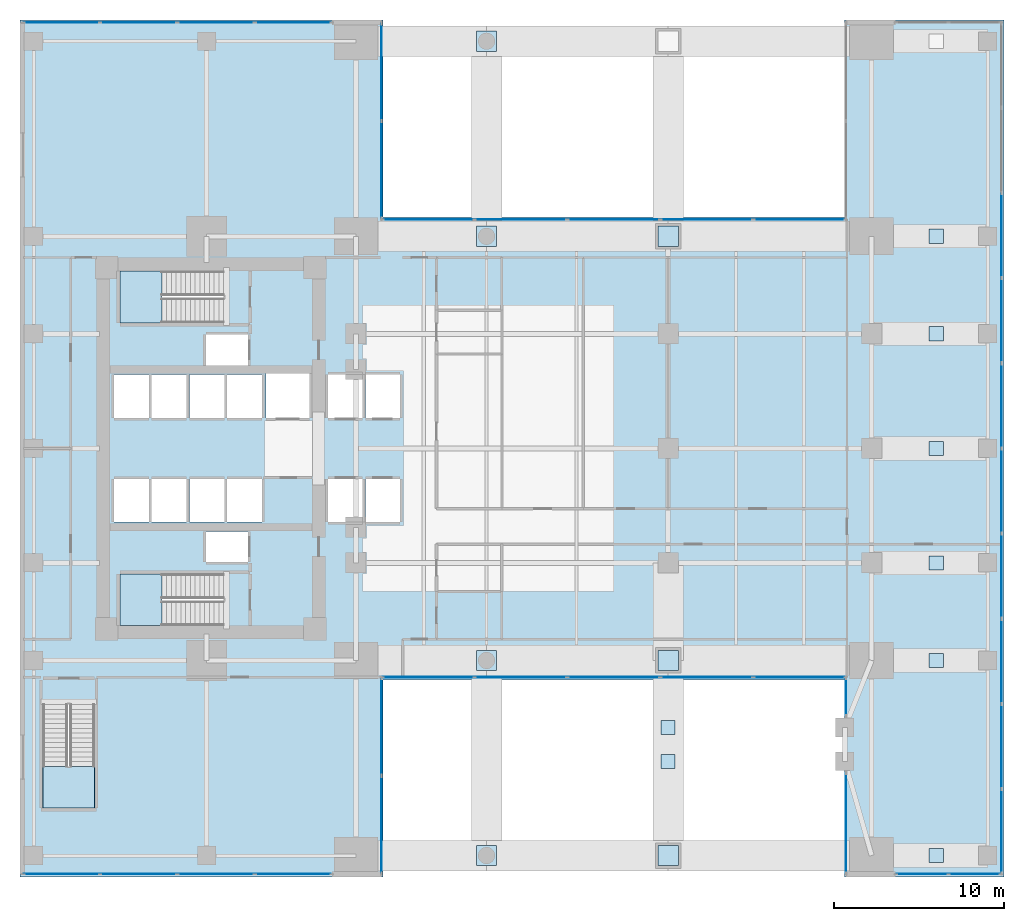
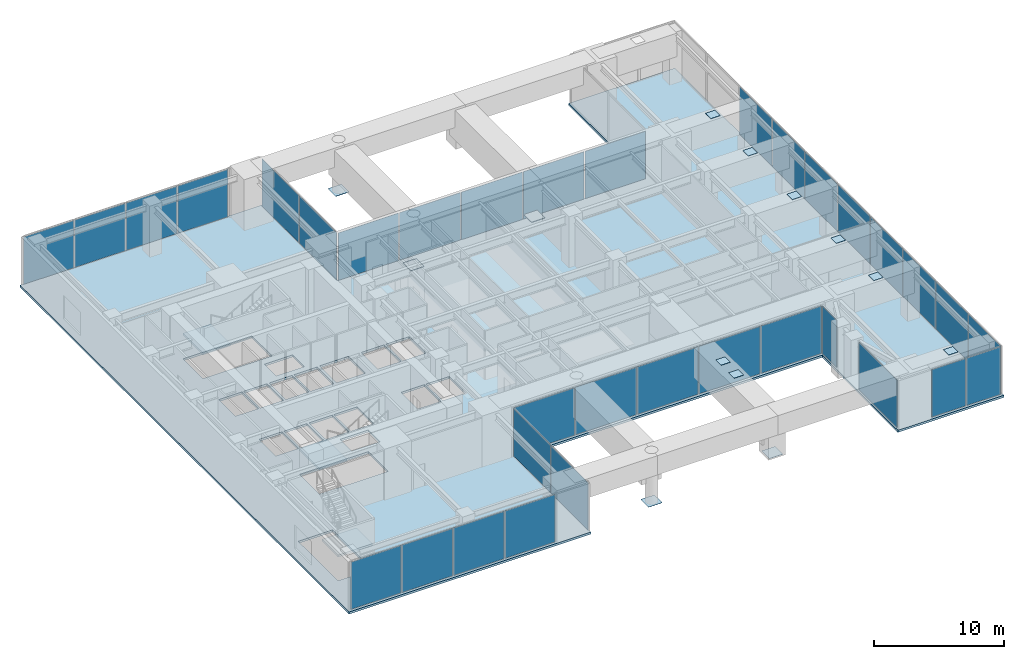
# One storey, part 7 of 13: 49 plates, 4 slabs, 13 elements without a shape of their own.
"""IFC4 building model written with IfcOpenShell, lengths in metres."""

from ifc_helpers import new_model, si_unit, direction, frame, origin, origin_2d, place, context, subcontext, project, spatial, polyline, rectangle, outline, extrude, material, layer, layer_set, type_object, element, aggregate, save


model = new_model("IFC4")

# Units and contexts
model_context = context("Model", 3, precision=1e-05, world=origin(), true_north=direction((0.0, 1.0)))
body_context = subcontext(model_context, "Body", "Model", "MODEL_VIEW")
ifc_project = project(units=[si_unit("LENGTHUNIT", "METRE"), si_unit("AREAUNIT", "SQUARE_METRE"), si_unit("VOLUMEUNIT", "CUBIC_METRE"), si_unit("PLANEANGLEUNIT", "RADIAN"), si_unit("MASSUNIT", "GRAM", prefix="KILO")], contexts=[model_context])

# Site, building, storey
site_placement = place(None, origin())
site = spatial("IfcSite", under=ifc_project, at=site_placement, CompositionType="ELEMENT")
building_placement = place(site_placement, origin())
building = spatial("IfcBuilding", under=site, at=building_placement, Name="Kinhvarn Gate Tower", CompositionType="ELEMENT")
storey_placement = place(building_placement, frame((0.0, 0.0, 15.60009765625)))
storey = spatial("IfcBuildingStorey", under=building, at=storey_placement, Name="L03", CompositionType="ELEMENT", Elevation=15.60009765625)

# Curtain wall, plates
ifc_material_1 = material(Name="Anodised aluminium AW-6063", Category="aluminium")
ifc_layer_1 = layer(ifc_material_1, 0.219970703125)
ifc_layer_set_1 = layer_set([ifc_layer_1], Name="Anodised aluminium AW-6063")
curtain_wall_type = type_object("IfcCurtainWallType", Name="CW-SYS-1", PredefinedType="NOTDEFINED", material=ifc_layer_set_1)
curtain_wall_1_placement = place(storey_placement, origin())
curtain_wall_1 = element("IfcCurtainWall", 1, at=curtain_wall_1_placement, inside=storey, type_object=curtain_wall_type, Name="Curtain Wall CW1 (L03)", PredefinedType="NOTDEFINED")
ifc_material_2 = material(Name="Clear low-e double glazing", Category="glass")
ifc_layer_2 = layer(ifc_material_2, 0.031982421875)
ifc_layer_set_2 = layer_set([ifc_layer_2], Name="Clear low-e double glazing")
plate_type_1 = type_object("IfcPlateType", Name="CW-PNL-VIS", PredefinedType="CURTAIN_PANEL", material=ifc_layer_set_2)
plate_1_placement = place(storey_placement, frame((2.451171875, 0.14990234375, 0.079833984375), z_axis=(0.0, 0.0, 1.0), x_axis=(1.0, 0.0, 0.0)))
plate_1 = element("IfcPlate", 2, at=plate_1_placement, type_object=plate_type_1, Name="CW1 panel 1.1", PredefinedType="CURTAIN_PANEL", context=body_context, shape_type="SweptSolid", body=[
    extrude(rectangle(XDim=4.4423828125, YDim=0.031982421875, at=origin_2d()), origin(), (0.0, 0.0, 1.0), 4.43994140625),
])
plate_2_placement = place(storey_placement, frame((6.99365234375, 0.14990234375, 0.079833984375), z_axis=(0.0, 0.0, 1.0), x_axis=(1.0, 0.0, 0.0)))
plate_2 = element("IfcPlate", 3, at=plate_2_placement, type_object=plate_type_1, Name="CW1 panel 2.1", PredefinedType="CURTAIN_PANEL", context=body_context, shape_type="SweptSolid", body=[
    extrude(rectangle(XDim=4.482421875, YDim=0.031982421875, at=origin_2d()), origin(), (0.0, 0.0, 1.0), 4.43994140625),
])
plate_3_placement = place(storey_placement, frame((11.55615234375, 0.14990234375, 0.079833984375), z_axis=(0.0, 0.0, 1.0), x_axis=(1.0, 0.0, 0.0)))
plate_3 = element("IfcPlate", 4, at=plate_3_placement, type_object=plate_type_1, Name="CW1 panel 3.1", PredefinedType="CURTAIN_PANEL", context=body_context, shape_type="SweptSolid", body=[
    extrude(rectangle(XDim=4.482421875, YDim=0.031982421875, at=origin_2d()), origin(), (0.0, 0.0, 1.0), 4.43994140625),
])
plate_4_placement = place(storey_placement, frame((16.0986328125, 0.14990234375, 0.079833984375), z_axis=(0.0, 0.0, 1.0), x_axis=(1.0, 0.0, 0.0)))
plate_4 = element("IfcPlate", 5, at=plate_4_placement, type_object=plate_type_1, Name="CW1 panel 4.1", PredefinedType="CURTAIN_PANEL", context=body_context, shape_type="SweptSolid", body=[
    extrude(rectangle(XDim=4.4423828125, YDim=0.031982421875, at=origin_2d()), origin(), (0.0, 0.0, 1.0), 4.43994140625),
])
aggregate(curtain_wall_1, [plate_1, plate_2, plate_3, plate_4])

curtain_wall_2_placement = place(storey_placement, origin())
curtain_wall_2 = element("IfcCurtainWall", 6, at=curtain_wall_2_placement, inside=storey, type_object=curtain_wall_type, Name="Curtain Wall CW1 (L03)", PredefinedType="NOTDEFINED")
plate_5_placement = place(storey_placement, frame((53.1826171875, 0.14990234375, 0.079833984375), z_axis=(0.0, 0.0, 1.0), x_axis=(1.0, 0.0, 0.0)))
plate_5 = element("IfcPlate", 7, at=plate_5_placement, type_object=plate_type_1, Name="CW1 panel 1.1", PredefinedType="CURTAIN_PANEL", context=body_context, shape_type="SweptSolid", body=[
    extrude(rectangle(XDim=3.0048828125, YDim=0.031982421875, at=origin_2d()), origin(), (0.0, 0.0, 1.0), 4.43994140625),
])
plate_6_placement = place(storey_placement, frame((56.267578125, 0.14990234375, 0.079833984375), z_axis=(0.0, 0.0, 1.0), x_axis=(1.0, 0.0, 0.0)))
plate_6 = element("IfcPlate", 8, at=plate_6_placement, type_object=plate_type_1, Name="CW1 panel 2.1", PredefinedType="CURTAIN_PANEL", context=body_context, shape_type="SweptSolid", body=[
    extrude(rectangle(XDim=3.0048828125, YDim=0.031982421875, at=origin_2d()), origin(), (0.0, 0.0, 1.0), 4.43994140625),
])
aggregate(curtain_wall_2, [plate_5, plate_6])

curtain_wall_3_placement = place(storey_placement, origin())
curtain_wall_3 = element("IfcCurtainWall", 9, at=curtain_wall_3_placement, inside=storey, type_object=curtain_wall_type, Name="Curtain Wall CW1 (L03)", PredefinedType="NOTDEFINED")
plate_7_placement = place(storey_placement, frame((57.85009765625, 2.679931640625, 0.079833984375), z_axis=(0.0, 0.0, 1.0), x_axis=(0.0, 1.0, 0.0)))
plate_7 = element("IfcPlate", 10, at=plate_7_placement, type_object=plate_type_1, Name="CW1 panel 1.1", PredefinedType="CURTAIN_PANEL", context=body_context, shape_type="SweptSolid", body=[
    extrude(rectangle(XDim=4.89990234375, YDim=0.031982421875, at=origin_2d()), origin(), (0.0, 0.0, 1.0), 4.43994140625),
])
plate_8_placement = place(storey_placement, frame((57.85009765625, 7.679931640625, 0.079833984375), z_axis=(0.0, 0.0, 1.0), x_axis=(0.0, 1.0, 0.0)))
plate_8 = element("IfcPlate", 11, at=plate_8_placement, type_object=plate_type_1, Name="CW1 panel 2.1", PredefinedType="CURTAIN_PANEL", context=body_context, shape_type="SweptSolid", body=[
    extrude(rectangle(XDim=4.93994140625, YDim=0.031982421875, at=origin_2d()), origin(), (0.0, 0.0, 1.0), 4.43994140625),
])
plate_9_placement = place(storey_placement, frame((57.85009765625, 12.699951171875, 0.079833984375), z_axis=(0.0, 0.0, 1.0), x_axis=(0.0, 1.0, 0.0)))
plate_9 = element("IfcPlate", 12, at=plate_9_placement, type_object=plate_type_1, Name="CW1 panel 3.1", PredefinedType="CURTAIN_PANEL", context=body_context, shape_type="SweptSolid", body=[
    extrude(rectangle(XDim=4.93994140625, YDim=0.031982421875, at=origin_2d()), origin(), (0.0, 0.0, 1.0), 4.43994140625),
])
plate_10_placement = place(storey_placement, frame((57.85009765625, 17.719970703125, 0.079833984375), z_axis=(0.0, 0.0, 1.0), x_axis=(0.0, 1.0, 0.0)))
plate_10 = element("IfcPlate", 13, at=plate_10_placement, type_object=plate_type_1, Name="CW1 panel 4.1", PredefinedType="CURTAIN_PANEL", context=body_context, shape_type="SweptSolid", body=[
    extrude(rectangle(XDim=4.93994140625, YDim=0.031982421875, at=origin_2d()), origin(), (0.0, 0.0, 1.0), 4.43994140625),
])
plate_11_placement = place(storey_placement, frame((57.85009765625, 22.739990234375, 0.079833984375), z_axis=(0.0, 0.0, 1.0), x_axis=(0.0, 1.0, 0.0)))
plate_11 = element("IfcPlate", 14, at=plate_11_placement, type_object=plate_type_1, Name="CW1 panel 5.1", PredefinedType="CURTAIN_PANEL", context=body_context, shape_type="SweptSolid", body=[
    extrude(rectangle(XDim=4.93994140625, YDim=0.031982421875, at=origin_2d()), origin(), (0.0, 0.0, 1.0), 4.43994140625),
])
plate_12_placement = place(storey_placement, frame((57.85009765625, 27.760009765625, 0.079833984375), z_axis=(0.0, 0.0, 1.0), x_axis=(0.0, 1.0, 0.0)))
plate_12 = element("IfcPlate", 15, at=plate_12_placement, type_object=plate_type_1, Name="CW1 panel 6.1", PredefinedType="CURTAIN_PANEL", context=body_context, shape_type="SweptSolid", body=[
    extrude(rectangle(XDim=4.93994140625, YDim=0.031982421875, at=origin_2d()), origin(), (0.0, 0.0, 1.0), 4.43994140625),
])
plate_13_placement = place(storey_placement, frame((57.85009765625, 32.780029296875, 0.079833984375), z_axis=(0.0, 0.0, 1.0), x_axis=(0.0, 1.0, 0.0)))
plate_13 = element("IfcPlate", 16, at=plate_13_placement, type_object=plate_type_1, Name="CW1 panel 7.1", PredefinedType="CURTAIN_PANEL", context=body_context, shape_type="SweptSolid", body=[
    extrude(rectangle(XDim=4.93994140625, YDim=0.031982421875, at=origin_2d()), origin(), (0.0, 0.0, 1.0), 4.43994140625),
])
plate_14_placement = place(storey_placement, frame((57.85009765625, 37.800048828125, 0.079833984375), z_axis=(0.0, 0.0, 1.0), x_axis=(0.0, 1.0, 0.0)))
plate_14 = element("IfcPlate", 17, at=plate_14_placement, type_object=plate_type_1, Name="CW1 panel 8.1", PredefinedType="CURTAIN_PANEL", context=body_context, shape_type="SweptSolid", body=[
    extrude(rectangle(XDim=4.93994140625, YDim=0.031982421875, at=origin_2d()), origin(), (0.0, 0.0, 1.0), 4.43994140625),
])
aggregate(curtain_wall_3, [plate_7, plate_8, plate_9, plate_10, plate_11, plate_12, plate_13, plate_14])

curtain_wall_4_placement = place(storey_placement, origin())
curtain_wall_4 = element("IfcCurtainWall", 18, at=curtain_wall_4_placement, inside=storey, type_object=curtain_wall_type, Name="Curtain Wall CW1 (L03)", PredefinedType="NOTDEFINED")
plate_15_placement = place(storey_placement, frame((16.0986328125, 50.35009765625, 0.079833984375), z_axis=(0.0, 0.0, 1.0), x_axis=(-1.0, 0.0, 0.0)))
plate_15 = element("IfcPlate", 19, at=plate_15_placement, type_object=plate_type_1, Name="CW1 panel 1.1", PredefinedType="CURTAIN_PANEL", context=body_context, shape_type="SweptSolid", body=[
    extrude(rectangle(XDim=4.4423828125, YDim=0.031982421875, at=origin_2d()), origin(), (0.0, 0.0, 1.0), 4.43994140625),
])
plate_16_placement = place(storey_placement, frame((11.55615234375, 50.35009765625, 0.079833984375), z_axis=(0.0, 0.0, 1.0), x_axis=(-1.0, 0.0, 0.0)))
plate_16 = element("IfcPlate", 20, at=plate_16_placement, type_object=plate_type_1, Name="CW1 panel 2.1", PredefinedType="CURTAIN_PANEL", context=body_context, shape_type="SweptSolid", body=[
    extrude(rectangle(XDim=4.482421875, YDim=0.031982421875, at=origin_2d()), origin(), (0.0, 0.0, 1.0), 4.43994140625),
])
plate_17_placement = place(storey_placement, frame((6.99365234375, 50.35009765625, 0.079833984375), z_axis=(0.0, 0.0, 1.0), x_axis=(-1.0, 0.0, 0.0)))
plate_17 = element("IfcPlate", 21, at=plate_17_placement, type_object=plate_type_1, Name="CW1 panel 3.1", PredefinedType="CURTAIN_PANEL", context=body_context, shape_type="SweptSolid", body=[
    extrude(rectangle(XDim=4.482421875, YDim=0.031982421875, at=origin_2d()), origin(), (0.0, 0.0, 1.0), 4.43994140625),
])
plate_18_placement = place(storey_placement, frame((2.451171875, 50.35009765625, 0.079833984375), z_axis=(0.0, 0.0, 1.0), x_axis=(-1.0, 0.0, 0.0)))
plate_18 = element("IfcPlate", 22, at=plate_18_placement, type_object=plate_type_1, Name="CW1 panel 4.1", PredefinedType="CURTAIN_PANEL", context=body_context, shape_type="SweptSolid", body=[
    extrude(rectangle(XDim=4.4423828125, YDim=0.031982421875, at=origin_2d()), origin(), (0.0, 0.0, 1.0), 4.43994140625),
])
aggregate(curtain_wall_4, [plate_15, plate_16, plate_17, plate_18])

curtain_wall_5_placement = place(storey_placement, origin())
curtain_wall_5 = element("IfcCurtainWall", 23, at=curtain_wall_5_placement, inside=storey, type_object=curtain_wall_type, Name="Curtain Wall CW1 (L03)", PredefinedType="NOTDEFINED")
plate_19_placement = place(storey_placement, frame((21.31005859375, 3.072509765625, 0.079833984375), z_axis=(0.0, 0.0, 1.0), x_axis=(0.0, 1.0, 0.0)))
plate_19 = element("IfcPlate", 24, at=plate_19_placement, type_object=plate_type_1, Name="CW1 panel 1.1", PredefinedType="CURTAIN_PANEL", context=body_context, shape_type="SweptSolid", body=[
    extrude(rectangle(XDim=5.68505859375, YDim=0.031982421875, at=origin_2d()), origin(), (0.0, 0.0, 1.0), 4.43994140625),
])
plate_20_placement = place(storey_placement, frame((21.31005859375, 8.83740234375, 0.079833984375), z_axis=(0.0, 0.0, 1.0), x_axis=(0.0, 1.0, 0.0)))
plate_20 = element("IfcPlate", 25, at=plate_20_placement, type_object=plate_type_1, Name="CW1 panel 2.1", PredefinedType="CURTAIN_PANEL", context=body_context, shape_type="SweptSolid", body=[
    extrude(rectangle(XDim=5.68505859375, YDim=0.031982421875, at=origin_2d()), origin(), (0.0, 0.0, 1.0), 4.43994140625),
])
aggregate(curtain_wall_5, [plate_19, plate_20])

curtain_wall_6_placement = place(storey_placement, origin())
curtain_wall_6 = element("IfcCurtainWall", 26, at=curtain_wall_6_placement, inside=storey, type_object=curtain_wall_type, Name="Curtain Wall CW1 (L03)", PredefinedType="NOTDEFINED")
plate_21_placement = place(storey_placement, frame((24.068115234375, 11.760009765625, 0.079833984375), z_axis=(0.0, 0.0, 1.0), x_axis=(1.0, 0.0, 0.0)))
plate_21 = element("IfcPlate", 27, at=plate_21_placement, type_object=plate_type_1, Name="CW1 panel 1.1", PredefinedType="CURTAIN_PANEL", context=body_context, shape_type="SweptSolid", body=[
    extrude(rectangle(XDim=5.35595703125, YDim=0.031982421875, at=origin_2d()), origin(), (0.0, 0.0, 1.0), 4.43994140625),
])
plate_22_placement = place(storey_placement, frame((29.52392578125, 11.760009765625, 0.079833984375), z_axis=(0.0, 0.0, 1.0), x_axis=(1.0, 0.0, 0.0)))
plate_22 = element("IfcPlate", 28, at=plate_22_placement, type_object=plate_type_1, Name="CW1 panel 2.1", PredefinedType="CURTAIN_PANEL", context=body_context, shape_type="SweptSolid", body=[
    extrude(rectangle(XDim=5.39599609375, YDim=0.031982421875, at=origin_2d()), origin(), (0.0, 0.0, 1.0), 4.43994140625),
])
plate_23_placement = place(storey_placement, frame((35.0, 11.760009765625, 0.079833984375), z_axis=(0.0, 0.0, 1.0), x_axis=(1.0, 0.0, 0.0)))
plate_23 = element("IfcPlate", 29, at=plate_23_placement, type_object=plate_type_1, Name="CW1 panel 3.1", PredefinedType="CURTAIN_PANEL", context=body_context, shape_type="SweptSolid", body=[
    extrude(rectangle(XDim=5.39599609375, YDim=0.031982421875, at=origin_2d()), origin(), (0.0, 0.0, 1.0), 4.43994140625),
])
plate_24_placement = place(storey_placement, frame((40.47607421875, 11.760009765625, 0.079833984375), z_axis=(0.0, 0.0, 1.0), x_axis=(1.0, 0.0, 0.0)))
plate_24 = element("IfcPlate", 30, at=plate_24_placement, type_object=plate_type_1, Name="CW1 panel 4.1", PredefinedType="CURTAIN_PANEL", context=body_context, shape_type="SweptSolid", body=[
    extrude(rectangle(XDim=5.39599609375, YDim=0.031982421875, at=origin_2d()), origin(), (0.0, 0.0, 1.0), 4.43994140625),
])
plate_25_placement = place(storey_placement, frame((45.931884765625, 11.760009765625, 0.079833984375), z_axis=(0.0, 0.0, 1.0), x_axis=(1.0, 0.0, 0.0)))
plate_25 = element("IfcPlate", 31, at=plate_25_placement, type_object=plate_type_1, Name="CW1 panel 5.1", PredefinedType="CURTAIN_PANEL", context=body_context, shape_type="SweptSolid", body=[
    extrude(rectangle(XDim=5.35595703125, YDim=0.031982421875, at=origin_2d()), origin(), (0.0, 0.0, 1.0), 4.43994140625),
])
aggregate(curtain_wall_6, [plate_21, plate_22, plate_23, plate_24, plate_25])

# Curtain wall, plate
curtain_wall_7_placement = place(storey_placement, origin())
curtain_wall_7 = element("IfcCurtainWall", 32, at=curtain_wall_7_placement, inside=storey, type_object=curtain_wall_type, Name="Curtain Wall CW1 (L03)", PredefinedType="NOTDEFINED")
plate_26_placement = place(storey_placement, frame((48.68994140625, 10.594970703125, 0.079833984375), z_axis=(0.0, 0.0, 1.0), x_axis=(0.0, -1.0, 0.0)))
plate_26 = element("IfcPlate", 33, at=plate_26_placement, type_object=plate_type_1, Name="CW1 panel 1.1", PredefinedType="CURTAIN_PANEL", context=body_context, shape_type="SweptSolid", body=[
    extrude(rectangle(XDim=2.169921875, YDim=0.031982421875, at=origin_2d()), origin(), (0.0, 0.0, 1.0), 4.43994140625),
])
aggregate(curtain_wall_7, [plate_26])

curtain_wall_8_placement = place(storey_placement, origin())
curtain_wall_8 = element("IfcCurtainWall", 34, at=curtain_wall_8_placement, inside=storey, type_object=curtain_wall_type, Name="Curtain Wall CW1 (L03)", PredefinedType="NOTDEFINED")
plate_27_placement = place(storey_placement, frame((48.68994140625, 3.159912109375, 0.079833984375), z_axis=(0.0, 0.0, 1.0), x_axis=(0.0, -1.0, 0.0)))
plate_27 = element("IfcPlate", 35, at=plate_27_placement, type_object=plate_type_1, Name="CW1 panel 1.1", PredefinedType="CURTAIN_PANEL", context=body_context, shape_type="SweptSolid", body=[
    extrude(rectangle(XDim=5.860107421875, YDim=0.031982421875, at=origin_2d()), origin(), (0.0, 0.0, 1.0), 4.43994140625),
])
aggregate(curtain_wall_8, [plate_27])

# Curtain wall, plates
curtain_wall_9_placement = place(storey_placement, origin())
curtain_wall_9 = element("IfcCurtainWall", 36, at=curtain_wall_9_placement, inside=storey, type_object=curtain_wall_type, Name="Curtain Wall CW1 (L03)", PredefinedType="NOTDEFINED")
plate_28_placement = place(storey_placement, frame((45.931884765625, 38.739990234375, 0.079833984375), z_axis=(0.0, 0.0, 1.0), x_axis=(-1.0, 0.0, 0.0)))
plate_28 = element("IfcPlate", 37, at=plate_28_placement, type_object=plate_type_1, Name="CW1 panel 1.1", PredefinedType="CURTAIN_PANEL", context=body_context, shape_type="SweptSolid", body=[
    extrude(rectangle(XDim=5.35595703125, YDim=0.031982421875, at=origin_2d()), origin(), (0.0, 0.0, 1.0), 4.43994140625),
])
plate_29_placement = place(storey_placement, frame((40.47607421875, 38.739990234375, 0.079833984375), z_axis=(0.0, 0.0, 1.0), x_axis=(-1.0, 0.0, 0.0)))
plate_29 = element("IfcPlate", 38, at=plate_29_placement, type_object=plate_type_1, Name="CW1 panel 2.1", PredefinedType="CURTAIN_PANEL", context=body_context, shape_type="SweptSolid", body=[
    extrude(rectangle(XDim=5.39599609375, YDim=0.031982421875, at=origin_2d()), origin(), (0.0, 0.0, 1.0), 4.43994140625),
])
plate_30_placement = place(storey_placement, frame((35.0, 38.739990234375, 0.079833984375), z_axis=(0.0, 0.0, 1.0), x_axis=(-1.0, 0.0, 0.0)))
plate_30 = element("IfcPlate", 39, at=plate_30_placement, type_object=plate_type_1, Name="CW1 panel 3.1", PredefinedType="CURTAIN_PANEL", context=body_context, shape_type="SweptSolid", body=[
    extrude(rectangle(XDim=5.39599609375, YDim=0.031982421875, at=origin_2d()), origin(), (0.0, 0.0, 1.0), 4.43994140625),
])
plate_31_placement = place(storey_placement, frame((29.52392578125, 38.739990234375, 0.079833984375), z_axis=(0.0, 0.0, 1.0), x_axis=(-1.0, 0.0, 0.0)))
plate_31 = element("IfcPlate", 40, at=plate_31_placement, type_object=plate_type_1, Name="CW1 panel 4.1", PredefinedType="CURTAIN_PANEL", context=body_context, shape_type="SweptSolid", body=[
    extrude(rectangle(XDim=5.39599609375, YDim=0.031982421875, at=origin_2d()), origin(), (0.0, 0.0, 1.0), 4.43994140625),
])
plate_32_placement = place(storey_placement, frame((24.068115234375, 38.739990234375, 0.079833984375), z_axis=(0.0, 0.0, 1.0), x_axis=(-1.0, 0.0, 0.0)))
plate_32 = element("IfcPlate", 41, at=plate_32_placement, type_object=plate_type_1, Name="CW1 panel 5.1", PredefinedType="CURTAIN_PANEL", context=body_context, shape_type="SweptSolid", body=[
    extrude(rectangle(XDim=5.35595703125, YDim=0.031982421875, at=origin_2d()), origin(), (0.0, 0.0, 1.0), 4.43994140625),
])
aggregate(curtain_wall_9, [plate_28, plate_29, plate_30, plate_31, plate_32])

curtain_wall_10_placement = place(storey_placement, origin())
curtain_wall_10 = element("IfcCurtainWall", 42, at=curtain_wall_10_placement, inside=storey, type_object=curtain_wall_type, Name="Curtain Wall CW1 (L03)", PredefinedType="NOTDEFINED")
plate_33_placement = place(storey_placement, frame((21.31005859375, 41.66259765625, 0.079833984375), z_axis=(0.0, 0.0, 1.0), x_axis=(0.0, 1.0, 0.0)))
plate_33 = element("IfcPlate", 43, at=plate_33_placement, type_object=plate_type_1, Name="CW1 panel 1.1", PredefinedType="CURTAIN_PANEL", context=body_context, shape_type="SweptSolid", body=[
    extrude(rectangle(XDim=5.68505859375, YDim=0.031982421875, at=origin_2d()), origin(), (0.0, 0.0, 1.0), 4.43994140625),
])
plate_34_placement = place(storey_placement, frame((21.31005859375, 47.427490234375, 0.079833984375), z_axis=(0.0, 0.0, 1.0), x_axis=(0.0, 1.0, 0.0)))
plate_34 = element("IfcPlate", 44, at=plate_34_placement, type_object=plate_type_1, Name="CW1 panel 2.1", PredefinedType="CURTAIN_PANEL", context=body_context, shape_type="SweptSolid", body=[
    extrude(rectangle(XDim=5.68505859375, YDim=0.031982421875, at=origin_2d()), origin(), (0.0, 0.0, 1.0), 4.43994140625),
])
aggregate(curtain_wall_10, [plate_33, plate_34])

# Plates
ifc_material_3 = material(Name="Steel S355", Category="steel")
ifc_layer_3 = layer(ifc_material_3, 0.02587890625)
ifc_layer_set_3 = layer_set([ifc_layer_3], Name="Steel S355")
plate_type_2 = type_object("IfcPlateType", Name="PLT-NODE-AN2", PredefinedType="USERDEFINED", material=ifc_layer_set_3)
plate_35_placement = place(storey_placement, frame((0.0, 0.0, -0.01318359375)))
element("IfcPlate", 45, at=plate_35_placement, inside=storey, type_object=plate_type_2, Name="Structural Node Cap Plate AN2", ObjectType="GUSSET_PLATE", PredefinedType="USERDEFINED", context=body_context, shape_type="SweptSolid", body=[
    extrude(outline(polyline([(26.89990234375, 0.64990234375), (28.10009765625, 0.64990234375), (28.10009765625, 1.85009765625), (26.89990234375, 1.85009765625), (26.89990234375, 0.64990234375)])), origin(), (0.0, 0.0, 1.0), 0.026123046875),
])
plate_36_placement = place(storey_placement, frame((0.0, 0.0, -0.01318359375)))
element("IfcPlate", 46, at=plate_36_placement, inside=storey, type_object=plate_type_2, Name="Structural Node Cap Plate AN2", ObjectType="GUSSET_PLATE", PredefinedType="USERDEFINED", context=body_context, shape_type="SweptSolid", body=[
    extrude(outline(polyline([(26.89990234375, 12.14990234375), (28.10009765625, 12.14990234375), (28.10009765625, 13.35009765625), (26.89990234375, 13.35009765625), (26.89990234375, 12.14990234375)])), origin(), (0.0, 0.0, 1.0), 0.026123046875),
])
plate_37_placement = place(storey_placement, frame((0.0, 0.0, -0.01318359375)))
element("IfcPlate", 47, at=plate_37_placement, inside=storey, type_object=plate_type_2, Name="Structural Node Cap Plate AN2", ObjectType="GUSSET_PLATE", PredefinedType="USERDEFINED", context=body_context, shape_type="SweptSolid", body=[
    extrude(outline(polyline([(26.89990234375, 37.14990234375), (28.10009765625, 37.14990234375), (28.10009765625, 38.35009765625), (26.89990234375, 38.35009765625), (26.89990234375, 37.14990234375)])), origin(), (0.0, 0.0, 1.0), 0.026123046875),
])
plate_38_placement = place(storey_placement, frame((0.0, 0.0, -0.01318359375)))
element("IfcPlate", 48, at=plate_38_placement, inside=storey, type_object=plate_type_2, Name="Structural Node Cap Plate AN2", ObjectType="GUSSET_PLATE", PredefinedType="USERDEFINED", context=body_context, shape_type="SweptSolid", body=[
    extrude(outline(polyline([(26.89990234375, 48.64990234375), (28.10009765625, 48.64990234375), (28.10009765625, 49.85009765625), (26.89990234375, 49.85009765625), (26.89990234375, 48.64990234375)])), origin(), (0.0, 0.0, 1.0), 0.026123046875),
])
ifc_layer_4 = layer(ifc_material_3, 0.028076171875)
ifc_layer_set_4 = layer_set([ifc_layer_4], Name="Steel S355")
plate_type_3 = type_object("IfcPlateType", Name="PLT-NODE-AN3", PredefinedType="USERDEFINED", material=ifc_layer_set_4)
plate_39_placement = place(storey_placement, frame((0.0, 0.0, 0.785888671875)))
element("IfcPlate", 49, at=plate_39_placement, inside=storey, type_object=plate_type_3, Name="Structural Node Cap Plate AN3", ObjectType="GUSSET_PLATE", PredefinedType="USERDEFINED", context=body_context, shape_type="SweptSolid", body=[
    extrude(outline(polyline([(37.60009765625, 0.64990234375), (38.800048828125, 0.64990234375), (38.800048828125, 1.85009765625), (37.60009765625, 1.85009765625), (37.60009765625, 0.64990234375)])), origin(), (0.0, 0.0, 1.0), 0.028076171875),
])
plate_40_placement = place(storey_placement, frame((0.0, 0.0, 0.785888671875)))
element("IfcPlate", 50, at=plate_40_placement, inside=storey, type_object=plate_type_3, Name="Structural Node Cap Plate AN3", ObjectType="GUSSET_PLATE", PredefinedType="USERDEFINED", context=body_context, shape_type="SweptSolid", body=[
    extrude(outline(polyline([(37.60009765625, 12.14990234375), (38.800048828125, 12.14990234375), (38.800048828125, 13.35009765625), (37.60009765625, 13.35009765625), (37.60009765625, 12.14990234375)])), origin(), (0.0, 0.0, 1.0), 0.028076171875),
])
plate_41_placement = place(storey_placement, frame((0.0, 0.0, 0.785888671875)))
element("IfcPlate", 51, at=plate_41_placement, inside=storey, type_object=plate_type_3, Name="Structural Node Cap Plate AN3", ObjectType="GUSSET_PLATE", PredefinedType="USERDEFINED", context=body_context, shape_type="SweptSolid", body=[
    extrude(outline(polyline([(37.60009765625, 37.14990234375), (38.800048828125, 37.14990234375), (38.800048828125, 38.35009765625), (37.60009765625, 38.35009765625), (37.60009765625, 37.14990234375)])), origin(), (0.0, 0.0, 1.0), 0.028076171875),
])
ifc_layer_5 = layer(ifc_material_3, 0.028076171875)
ifc_layer_set_5 = layer_set([ifc_layer_5], Name="Steel S355")
plate_type_4 = type_object("IfcPlateType", Name="PLT-NODE-TN1", PredefinedType="USERDEFINED", material=ifc_layer_set_5)
plate_42_placement = place(storey_placement, frame((0.0, 0.0, 4.77587890625)))
element("IfcPlate", 52, at=plate_42_placement, inside=storey, type_object=plate_type_4, Name="Structural Node Cap Plate TN1", ObjectType="GUSSET_PLATE", PredefinedType="USERDEFINED", context=body_context, shape_type="SweptSolid", body=[
    extrude(outline(polyline([(53.580078125, 0.830078125), (54.419921875, 0.830078125), (54.419921875, 1.669921875), (53.580078125, 1.669921875), (53.580078125, 0.830078125)])), origin(), (0.0, 0.0, 1.0), 0.028076171875),
])
plate_43_placement = place(storey_placement, frame((0.0, 0.0, 4.77587890625)))
element("IfcPlate", 53, at=plate_43_placement, inside=storey, type_object=plate_type_4, Name="Structural Node Cap Plate TN1", ObjectType="GUSSET_PLATE", PredefinedType="USERDEFINED", context=body_context, shape_type="SweptSolid", body=[
    extrude(outline(polyline([(53.580078125, 12.330078125), (54.419921875, 12.330078125), (54.419921875, 13.169921875), (53.580078125, 13.169921875), (53.580078125, 12.330078125)])), origin(), (0.0, 0.0, 1.0), 0.028076171875),
])
plate_44_placement = place(storey_placement, frame((0.0, 0.0, 4.77587890625)))
element("IfcPlate", 54, at=plate_44_placement, inside=storey, type_object=plate_type_4, Name="Structural Node Cap Plate TN1", ObjectType="GUSSET_PLATE", PredefinedType="USERDEFINED", context=body_context, shape_type="SweptSolid", body=[
    extrude(outline(polyline([(53.580078125, 18.080078125), (54.419921875, 18.080078125), (54.419921875, 18.919921875), (53.580078125, 18.919921875), (53.580078125, 18.080078125)])), origin(), (0.0, 0.0, 1.0), 0.028076171875),
])
plate_45_placement = place(storey_placement, frame((0.0, 0.0, 4.77587890625)))
element("IfcPlate", 55, at=plate_45_placement, inside=storey, type_object=plate_type_4, Name="Structural Node Cap Plate TN1", ObjectType="GUSSET_PLATE", PredefinedType="USERDEFINED", context=body_context, shape_type="SweptSolid", body=[
    extrude(outline(polyline([(53.580078125, 24.830078125), (54.419921875, 24.830078125), (54.419921875, 25.669921875), (53.580078125, 25.669921875), (53.580078125, 24.830078125)])), origin(), (0.0, 0.0, 1.0), 0.028076171875),
])
plate_46_placement = place(storey_placement, frame((0.0, 0.0, 4.77587890625)))
element("IfcPlate", 56, at=plate_46_placement, inside=storey, type_object=plate_type_4, Name="Structural Node Cap Plate TN1", ObjectType="GUSSET_PLATE", PredefinedType="USERDEFINED", context=body_context, shape_type="SweptSolid", body=[
    extrude(outline(polyline([(53.580078125, 31.580078125), (54.419921875, 31.580078125), (54.419921875, 32.419921875), (53.580078125, 32.419921875), (53.580078125, 31.580078125)])), origin(), (0.0, 0.0, 1.0), 0.028076171875),
])
plate_47_placement = place(storey_placement, frame((0.0, 0.0, 4.77587890625)))
element("IfcPlate", 57, at=plate_47_placement, inside=storey, type_object=plate_type_4, Name="Structural Node Cap Plate TN1", ObjectType="GUSSET_PLATE", PredefinedType="USERDEFINED", context=body_context, shape_type="SweptSolid", body=[
    extrude(outline(polyline([(53.580078125, 37.330078125), (54.419921875, 37.330078125), (54.419921875, 38.169921875), (53.580078125, 38.169921875), (53.580078125, 37.330078125)])), origin(), (0.0, 0.0, 1.0), 0.028076171875),
])
plate_48_placement = place(storey_placement, frame((0.0, 0.0, 4.77587890625)))
element("IfcPlate", 58, at=plate_48_placement, inside=storey, type_object=plate_type_4, Name="Structural Node Cap Plate TN1", ObjectType="GUSSET_PLATE", PredefinedType="USERDEFINED", context=body_context, shape_type="SweptSolid", body=[
    extrude(outline(polyline([(37.780029296875, 6.3798828125), (38.6201171875, 6.3798828125), (38.6201171875, 7.219970703125), (37.780029296875, 7.219970703125), (37.780029296875, 6.3798828125)])), origin(), (0.0, 0.0, 1.0), 0.028076171875),
])
plate_49_placement = place(storey_placement, frame((0.0, 0.0, 4.77587890625)))
element("IfcPlate", 59, at=plate_49_placement, inside=storey, type_object=plate_type_4, Name="Structural Node Cap Plate TN1", ObjectType="GUSSET_PLATE", PredefinedType="USERDEFINED", context=body_context, shape_type="SweptSolid", body=[
    extrude(outline(polyline([(37.780029296875, 8.3798828125), (38.6201171875, 8.3798828125), (38.6201171875, 9.219970703125), (37.780029296875, 9.219970703125), (37.780029296875, 8.3798828125)])), origin(), (0.0, 0.0, 1.0), 0.028076171875),
])

# Slab
ifc_material_4 = material(Name="Concrete C40/50", Category="concrete")
ifc_layer_6 = layer(ifc_material_4, 0.199951171875)
ifc_layer_set_6 = layer_set([ifc_layer_6], Name="Concrete C40/50")
slab_type_1 = type_object("IfcSlabType", Name="SLB-FLR-200", PredefinedType="FLOOR", material=ifc_layer_set_6)
slab_1_placement = place(storey_placement, frame((0.0, 0.0, -0.2001953125)))
element("IfcSlab", 60, at=slab_1_placement, inside=storey, type_object=slab_type_1, Name="Suspended Floor Slab L03", PredefinedType="FLOOR", context=body_context, shape_type="SweptSolid", body=[
    extrude(outline(polyline([(0.0, 0.0), (0.0, 50.5), (21.39990234375, 50.5), (21.39990234375, 38.89990234375), (48.60009765625, 38.89990234375), (48.60009765625, 50.5), (58.0, 50.5), (58.0, 0.0), (48.60009765625, 0.0), (48.60009765625, 11.60009765625), (21.39990234375, 11.60009765625), (21.39990234375, 0.0), (0.0, 0.0)]), holes=[polyline([(5.89990234375, 14.800048828125), (12.0, 14.800048828125), (12.0, 17.85009765625), (5.89990234375, 17.85009765625), (5.89990234375, 14.800048828125)]), polyline([(5.89990234375, 32.64990234375), (12.0, 32.64990234375), (12.0, 35.699951171875), (5.89990234375, 35.699951171875), (5.89990234375, 32.64990234375)]), polyline([(1.35009765625, 4.050048828125), (4.39990234375, 4.050048828125), (4.39990234375, 10.14990234375), (1.35009765625, 10.14990234375), (1.35009765625, 4.050048828125)]), polyline([(18.14990234375, 20.89990234375), (20.199951171875, 20.89990234375), (20.199951171875, 23.449951171875), (18.14990234375, 23.449951171875), (18.14990234375, 20.89990234375)]), polyline([(20.35009765625, 20.89990234375), (22.39990234375, 20.89990234375), (22.39990234375, 23.449951171875), (20.35009765625, 23.449951171875), (20.35009765625, 20.89990234375)]), polyline([(18.14990234375, 27.050048828125), (20.199951171875, 27.050048828125), (20.199951171875, 29.60009765625), (18.14990234375, 29.60009765625), (18.14990234375, 27.050048828125)]), polyline([(20.35009765625, 27.050048828125), (22.39990234375, 27.050048828125), (22.39990234375, 29.60009765625), (20.35009765625, 29.60009765625), (20.35009765625, 27.050048828125)]), polyline([(5.550048828125, 20.89990234375), (7.60009765625, 20.89990234375), (7.60009765625, 23.449951171875), (5.550048828125, 23.449951171875), (5.550048828125, 20.89990234375)]), polyline([(7.75, 20.89990234375), (9.800048828125, 20.89990234375), (9.800048828125, 23.449951171875), (7.75, 23.449951171875), (7.75, 20.89990234375)]), polyline([(5.550048828125, 27.050048828125), (7.60009765625, 27.050048828125), (7.60009765625, 29.60009765625), (5.550048828125, 29.60009765625), (5.550048828125, 27.050048828125)]), polyline([(7.75, 27.050048828125), (9.800048828125, 27.050048828125), (9.800048828125, 29.60009765625), (7.75, 29.60009765625), (7.75, 27.050048828125)]), polyline([(10.0, 20.89990234375), (12.050048828125, 20.89990234375), (12.050048828125, 23.449951171875), (10.0, 23.449951171875), (10.0, 20.89990234375)]), polyline([(12.199951171875, 20.89990234375), (14.25, 20.89990234375), (14.25, 23.449951171875), (12.199951171875, 23.449951171875), (12.199951171875, 20.89990234375)]), polyline([(10.0, 27.050048828125), (12.050048828125, 27.050048828125), (12.050048828125, 29.60009765625), (10.0, 29.60009765625), (10.0, 27.050048828125)]), polyline([(12.199951171875, 27.050048828125), (14.25, 27.050048828125), (14.25, 29.60009765625), (12.199951171875, 29.60009765625), (12.199951171875, 27.050048828125)]), polyline([(14.5, 27.050048828125), (17.050048828125, 27.050048828125), (17.050048828125, 29.64990234375), (14.5, 29.64990234375), (14.5, 27.050048828125)]), polyline([(10.949951171875, 18.550048828125), (13.449951171875, 18.550048828125), (13.449951171875, 20.35009765625), (10.949951171875, 20.35009765625), (10.949951171875, 18.550048828125)]), polyline([(10.949951171875, 30.14990234375), (13.449951171875, 30.14990234375), (13.449951171875, 31.949951171875), (10.949951171875, 31.949951171875), (10.949951171875, 30.14990234375)])]), origin(), (0.0, 0.0, 1.0), 0.2001953125),
])

# Stair, slab
stair_type = type_object("IfcStairType", Name="STR-DLG-171", PredefinedType="HALF_TURN_STAIR", material=ifc_material_4)
stair_1_placement = place(storey_placement, origin())
stair_1 = element("IfcStair", 61, at=stair_1_placement, inside=storey, type_object=stair_type, Name="L03 Core Smokeproof Exit Stair ST1", PredefinedType="HALF_TURN_STAIR")
ifc_layer_7 = layer(ifc_material_4, 0.199951171875)
ifc_layer_set_7 = layer_set([ifc_layer_7], Name="Concrete C40/50")
slab_type_2 = type_object("IfcSlabType", Name="SLB-ST-LND", PredefinedType="LANDING", material=ifc_layer_set_7)
slab_2_placement = place(storey_placement, frame((0.0, 0.0, 2.199951171875)))
slab_2 = element("IfcSlab", 62, at=slab_2_placement, type_object=slab_type_2, Name="ST1 landing 1", PredefinedType="LANDING", context=body_context, shape_type="SweptSolid", body=[
    extrude(outline(polyline([(8.360107421875, 17.85009765625), (5.89990234375, 17.85009765625), (5.89990234375, 14.800048828125), (8.360107421875, 14.800048828125), (8.360107421875, 17.85009765625)])), origin(), (0.0, 0.0, 1.0), 0.199951171875),
])
aggregate(stair_1, [slab_2])

stair_2_placement = place(storey_placement, origin())
stair_2 = element("IfcStair", 63, at=stair_2_placement, inside=storey, type_object=stair_type, Name="L03 Core Smokeproof Exit Stair ST2", PredefinedType="HALF_TURN_STAIR")
slab_3_placement = place(storey_placement, frame((0.0, 0.0, 2.199951171875)))
slab_3 = element("IfcSlab", 64, at=slab_3_placement, type_object=slab_type_2, Name="ST2 landing 1", PredefinedType="LANDING", context=body_context, shape_type="SweptSolid", body=[
    extrude(outline(polyline([(8.360107421875, 35.699951171875), (5.89990234375, 35.699951171875), (5.89990234375, 32.64990234375), (8.360107421875, 32.64990234375), (8.360107421875, 35.699951171875)])), origin(), (0.0, 0.0, 1.0), 0.199951171875),
])
aggregate(stair_2, [slab_3])

stair_3_placement = place(storey_placement, origin())
stair_3 = element("IfcStair", 65, at=stair_3_placement, inside=storey, type_object=stair_type, Name="L03 Podium & Basement Protected Exit Stair ST3", PredefinedType="HALF_TURN_STAIR")
slab_4_placement = place(storey_placement, frame((0.0, 0.0, 2.199951171875)))
slab_4 = element("IfcSlab", 66, at=slab_4_placement, type_object=slab_type_2, Name="ST3 landing 1", PredefinedType="LANDING", context=body_context, shape_type="SweptSolid", body=[
    extrude(outline(polyline([(1.35009765625, 6.510009765625), (1.35009765625, 4.050048828125), (4.39990234375, 4.050048828125), (4.39990234375, 6.510009765625), (1.35009765625, 6.510009765625)])), origin(), (0.0, 0.0, 1.0), 0.199951171875),
])
aggregate(stair_3, [slab_4])

save(model, "model.ifc")
